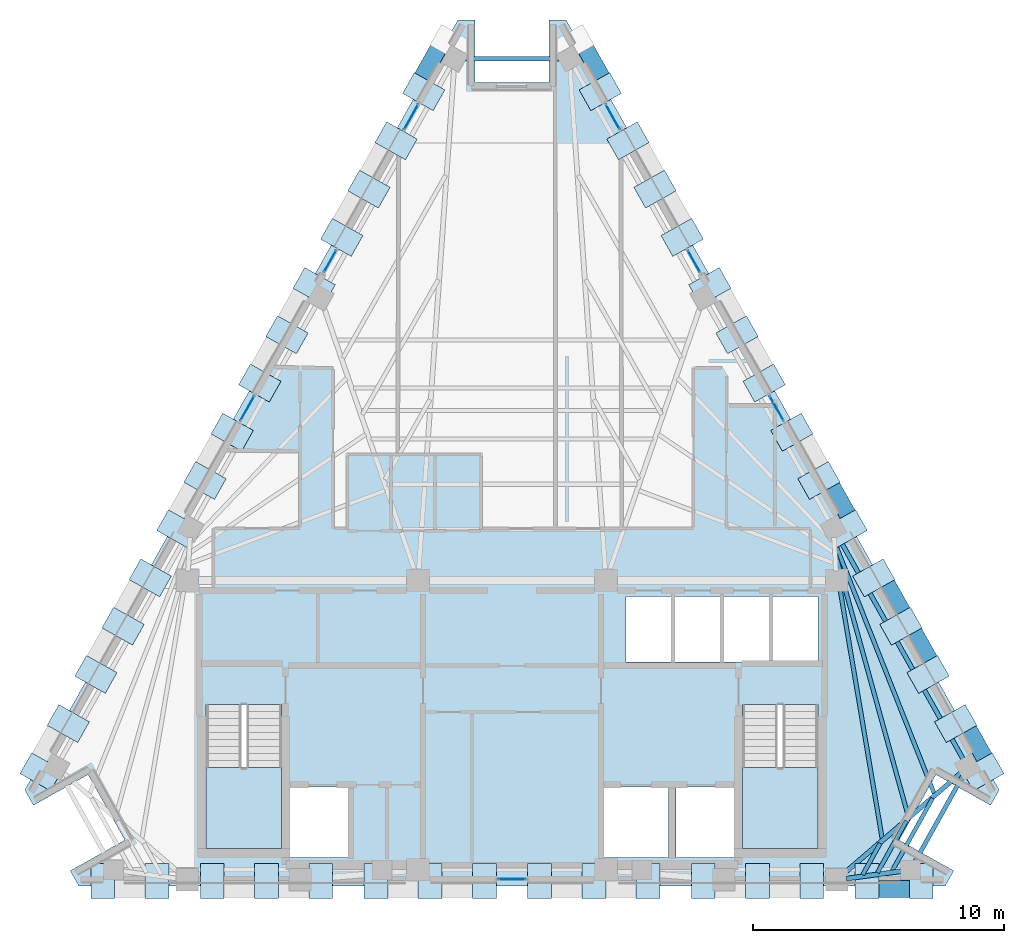
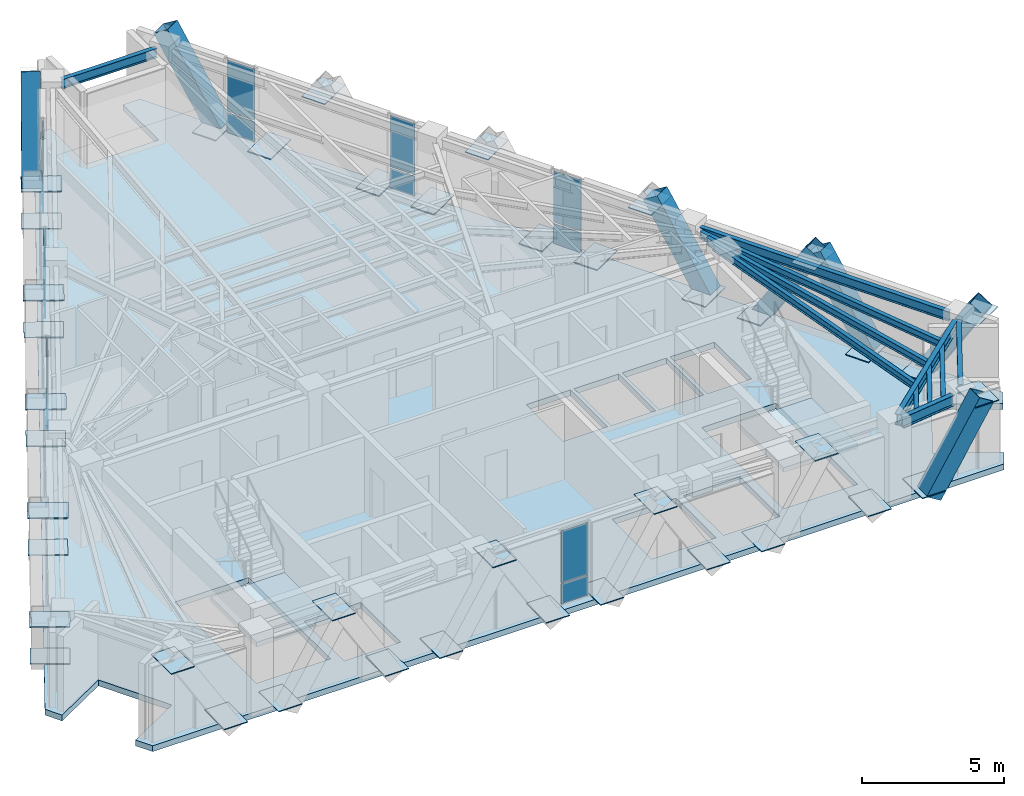
# One storey, part 4 of 9: 60 plates, 11 beams, 7 members, 3 slabs, 9 elements without a shape of their own.
"""IFC4 building model written with IfcOpenShell, lengths in metres."""

from ifc_helpers import new_model, si_unit, direction, frame, origin, origin_2d, place, context, subcontext, project, spatial, polyline, rectangle, hollow_rectangle, i_section, outline, extrude, material, layer, layer_set, material_profile, profile_set, type_object, element, aggregate, save


model = new_model("IFC4")

# Units and contexts
model_context = context("Model", 3, precision=1e-05, world=origin(), true_north=direction((0.0, 1.0)))
body_context = subcontext(model_context, "Body", "Model", "MODEL_VIEW")
ifc_project = project(units=[si_unit("LENGTHUNIT", "METRE"), si_unit("AREAUNIT", "SQUARE_METRE"), si_unit("VOLUMEUNIT", "CUBIC_METRE"), si_unit("PLANEANGLEUNIT", "RADIAN"), si_unit("MASSUNIT", "GRAM", prefix="KILO")], contexts=[model_context])

# Site, building, storey
site_placement = place(None, origin())
site = spatial("IfcSite", under=ifc_project, at=site_placement, CompositionType="ELEMENT")
building_placement = place(site_placement, origin())
building = spatial("IfcBuilding", under=site, at=building_placement, Name="Quenlor Broadcast Tower", CompositionType="ELEMENT")
storey_placement = place(building_placement, frame((0.0, 0.0, 235.89990234375)))
storey = spatial("IfcBuildingStorey", under=building, at=storey_placement, Name="L65", CompositionType="ELEMENT", Elevation=235.89990234375)

# Members
ifc_material_1 = material(Name="Steel S355", Category="steel")
ifc_material_profile_1 = material_profile(ifc_material_1, hollow_rectangle(XDim=0.679931640625, YDim=0.679931640625, WallThickness=0.02001953125, at=origin_2d()))
ifc_profile_set_1 = profile_set([ifc_material_profile_1], Name="Steel S355 RHS680x680x20")
member_type = type_object("IfcMemberType", Name="Perimeter Diagonal Lattice Brace Z5-Crown Steel S355 RHS680x20", PredefinedType="BRACE", material=ifc_profile_set_1)
member_placement = place(storey_placement, frame((14.165771484375, -17.1201171875, -0.119873046875), z_axis=(0.523616565236, 0.0, 0.85195404372), x_axis=(0.0, 1.0, 0.0)))
element("IfcMember", 1, at=member_placement, inside=storey, type_object=member_type, Name="L65 Perimeter Diamond Lattice S-C1B", PredefinedType="BRACE", context=body_context, shape_type="SweptSolid", body=[
    extrude(hollow_rectangle(XDim=0.679931640625, YDim=0.679931640625, WallThickness=0.02001953125, at=origin_2d()), origin(), (0.0, 0.0, 1.0), 4.108154296875),
])
for number, where, z_axis, x_axis, name in (
    (2, (3.813720703125, 14.864990234375, -0.119873046875), (-0.260618804175, 0.463276364439, 0.847025884529), (-0.8715547569, -0.490298180422, 0.0), "L65 Perimeter Diamond Lattice NE-C1B"),
    (3, (14.725830078125, -4.534423828125, -0.119873046875), (0.260563732169, -0.463283497491, 0.847038926161), (0.871602253711, 0.49021374045, 0.0), "L65 Perimeter Diamond Lattice NE-C4S"),
    (4, (13.622802734375, -2.573486328125, -0.119873046875), (-0.260618804175, 0.463276364439, 0.847025884529), (-0.8715547569, -0.490298180422, 0.0), "L65 Perimeter Diamond Lattice NE-C4B"),
    (5, (17.99560546875, -10.34716796875, -0.119873046875), (0.260563732169, -0.463283497491, 0.847038926161), (0.871602253711, 0.49021374045, 0.0), "L65 Perimeter Diamond Lattice NE-C5S"),
    (6, (16.892578125, -8.38623046875, -0.119873046875), (-0.260618804175, 0.463276364439, 0.847025884529), (-0.8715547569, -0.490298180422, 0.0), "L65 Perimeter Diamond Lattice NE-C5B"),
    (7, (-3.813720703125, 14.864990234375, -0.119873046875), (0.260618804175, 0.463276364439, 0.847025884529), (-0.8715547569, 0.490298180422, 0.0), "L65 Perimeter Diamond Lattice NW-C5S"),
):
    element("IfcMember", number, at=place(storey_placement, frame(where, z_axis=z_axis, x_axis=x_axis)), inside=storey, type_object=member_type, Name=name, PredefinedType="BRACE", context=body_context, shape_type="SweptSolid", body=[
        extrude(hollow_rectangle(XDim=0.679931640625, YDim=0.679931640625, WallThickness=0.02001953125, at=origin_2d()), origin(), (0.0, 0.0, 1.0), 4.132080078125),
    ])

# Beams
ifc_material_2 = material(Name="Steel S355", Category="steel")
ifc_material_profile_2 = material_profile(ifc_material_2, i_section(OverallWidth=0.177978515625, OverallDepth=0.406494140625, WebThickness=0.0078125, FlangeThickness=0.0126953125, FilletRadius=0.011474609375, at=origin_2d()))
ifc_profile_set_2 = profile_set([ifc_material_profile_2], Name="Steel S355 410UB59.7")
beam_type_1 = type_object("IfcBeamType", Name="Perimeter Spandrel Beam Z5 Steel S355 410UB59.7", PredefinedType="SPANDREL", material=ifc_profile_set_2)
beam_1_placement = place(storey_placement, frame((16.07275390625, -16.035400390625, 3.046875), z_axis=(0.486800618374, 0.873513112638, 0.0), x_axis=(-0.873513112638, 0.486800618374, 0.0)))
element("IfcBeam", 8, at=beam_1_placement, inside=storey, type_object=beam_type_1, Name="L65 Spandrel Beam S4-NE1", PredefinedType="SPANDREL", context=body_context, shape_type="SweptSolid", body=[
    extrude(i_section(OverallWidth=0.177978515625, OverallDepth=0.406494140625, WebThickness=0.0078125, FlangeThickness=0.0126953125, FilletRadius=0.011474609375, at=origin_2d()), origin(), (0.0, 0.0, 1.0), 3.9736328125),
])
beam_2_placement = place(storey_placement, frame((18.005859375, -11.93603515625, 3.046875), z_axis=(-0.490274867878, 0.871567871096, 0.0), x_axis=(-0.871567871096, -0.490274867878, 0.0)))
element("IfcBeam", 9, at=beam_2_placement, inside=storey, type_object=beam_type_1, Name="L65 Spandrel Beam NE1-NE2", PredefinedType="SPANDREL", context=body_context, shape_type="SweptSolid", body=[
    extrude(i_section(OverallWidth=0.177978515625, OverallDepth=0.406494140625, WebThickness=0.0078125, FlangeThickness=0.0126953125, FilletRadius=0.011474609375, at=origin_2d()), origin(), (0.0, 0.0, 1.0), 10.206298828125),
])
beam_3_placement = place(storey_placement, frame((1.9248046875, 16.012451171875, 3.046875), z_axis=(-1.0, 0.0, 0.0), x_axis=(0.0, -1.0, 0.0)))
element("IfcBeam", 10, at=beam_3_placement, inside=storey, type_object=beam_type_1, Name="L65 Spandrel Beam NE4-NW1", PredefinedType="SPANDREL", context=body_context, shape_type="SweptSolid", body=[
    extrude(i_section(OverallWidth=0.177978515625, OverallDepth=0.406494140625, WebThickness=0.0078125, FlangeThickness=0.0126953125, FilletRadius=0.011474609375, at=origin_2d()), origin(), (0.0, 0.0, 1.0), 3.849609375),
])
ifc_material_3 = material(Name="Steel S355", Category="steel")
ifc_material_profile_3 = material_profile(ifc_material_3, i_section(OverallWidth=0.166015625, OverallDepth=0.30712890625, WebThickness=0.006591796875, FlangeThickness=0.01171875, FilletRadius=0.011474609375, at=origin_2d()))
ifc_profile_set_3 = profile_set([ifc_material_profile_3], Name="Steel S355 310UB46.2")
beam_type_2 = type_object("IfcBeamType", Name="Tower Composite Joist Z4-Z5 Steel S355 310UB46.2", PredefinedType="JOIST", material=ifc_profile_set_3)
beam_4_placement = place(storey_placement, frame((14.76806640625, -15.09619140625, 3.096435546875), z_axis=(-0.166553293246, 0.986032454085, 0.0), x_axis=(-0.986032454085, -0.166553293246, 0.0)))
element("IfcBeam", 11, at=beam_4_placement, inside=storey, type_object=beam_type_2, Name="L65 Secondary Composite Joist 16", PredefinedType="JOIST", context=body_context, shape_type="SweptSolid", body=[
    extrude(i_section(OverallWidth=0.166015625, OverallDepth=0.30712890625, WebThickness=0.006591796875, FlangeThickness=0.01171875, FilletRadius=0.011474609375, at=origin_2d()), origin(), (0.0, 0.0, 1.0), 11.097900390625),
])
beam_5_placement = place(storey_placement, frame((15.806396484375, -14.197998046875, 3.096435546875), z_axis=(-0.26744552871, 0.96357298072, 0.0), x_axis=(-0.96357298072, -0.26744552871, 0.0)))
element("IfcBeam", 12, at=beam_5_placement, inside=storey, type_object=beam_type_2, Name="L65 Secondary Composite Joist 17", PredefinedType="JOIST", context=body_context, shape_type="SweptSolid", body=[
    extrude(i_section(OverallWidth=0.166015625, OverallDepth=0.30712890625, WebThickness=0.006591796875, FlangeThickness=0.01171875, FilletRadius=0.011474609375, at=origin_2d()), origin(), (0.0, 0.0, 1.0), 10.856689453125),
])
beam_6_placement = place(storey_placement, frame((16.8447265625, -13.300537109375, 3.096435546875), z_axis=(-0.368680258049, 0.929556274426, 0.0), x_axis=(-0.929556274426, -0.368680258049, 0.0)))
element("IfcBeam", 13, at=beam_6_placement, inside=storey, type_object=beam_type_2, Name="L65 Secondary Composite Joist 18", PredefinedType="JOIST", context=body_context, shape_type="SweptSolid", body=[
    extrude(i_section(OverallWidth=0.166015625, OverallDepth=0.30712890625, WebThickness=0.006591796875, FlangeThickness=0.01171875, FilletRadius=0.011474609375, at=origin_2d()), origin(), (0.0, 0.0, 1.0), 10.737548828125),
])
beam_7_placement = place(storey_placement, frame((13.9912109375, -16.544189453125, 3.096435546875), z_axis=(0.486624304452, 0.873611347406, 0.0), x_axis=(-0.873611347406, 0.486624304452, 0.0)))
element("IfcBeam", 14, at=beam_7_placement, inside=storey, type_object=beam_type_2, Name="L65 Secondary Composite Joist 22", PredefinedType="JOIST", context=body_context, shape_type="SweptSolid", body=[
    extrude(i_section(OverallWidth=0.166015625, OverallDepth=0.30712890625, WebThickness=0.006591796875, FlangeThickness=0.01171875, FilletRadius=0.011474609375, at=origin_2d()), origin(), (0.0, 0.0, 1.0), 1.435791015625),
])
beam_8_placement = place(storey_placement, frame((14.58056640625, -16.464111328125, 3.096435546875), z_axis=(0.486820963037, 0.873501774439, 0.0), x_axis=(-0.873501774439, 0.486820963037, 0.0)))
element("IfcBeam", 15, at=beam_8_placement, inside=storey, type_object=beam_type_2, Name="L65 Secondary Composite Joist 23", PredefinedType="JOIST", context=body_context, shape_type="SweptSolid", body=[
    extrude(i_section(OverallWidth=0.166015625, OverallDepth=0.30712890625, WebThickness=0.006591796875, FlangeThickness=0.01171875, FilletRadius=0.011474609375, at=origin_2d()), origin(), (0.0, 0.0, 1.0), 2.37451171875),
])
beam_9_placement = place(storey_placement, frame((15.170166015625, -16.384033203125, 3.096435546875), z_axis=(0.486762404011, 0.873534408046, 0.0), x_axis=(-0.873534408046, 0.486762404011, 0.0)))
element("IfcBeam", 16, at=beam_9_placement, inside=storey, type_object=beam_type_2, Name="L65 Secondary Composite Joist 24", PredefinedType="JOIST", context=body_context, shape_type="SweptSolid", body=[
    extrude(i_section(OverallWidth=0.166015625, OverallDepth=0.30712890625, WebThickness=0.006591796875, FlangeThickness=0.01171875, FilletRadius=0.011474609375, at=origin_2d()), origin(), (0.0, 0.0, 1.0), 3.313232421875),
])
ifc_material_4 = material(Name="Steel S355", Category="steel")
ifc_material_profile_4 = material_profile(ifc_material_4, i_section(OverallWidth=0.19091796875, OverallDepth=0.46044921875, WebThickness=0.010009765625, FlangeThickness=0.01611328125, FilletRadius=0.011474609375, at=origin_2d()))
ifc_profile_set_4 = profile_set([ifc_material_profile_4], Name="Steel S355 460UB82.1")
beam_type_3 = type_object("IfcBeamType", Name="Tower Primary Floor Beam Z5 Steel S355 460UB82.1", PredefinedType="BEAM", material=ifc_profile_set_4)
beam_10_placement = place(storey_placement, frame((15.541015625, -16.3984375, 3.02001953125), z_axis=(-0.990917044125, -0.134474576267, 0.0), x_axis=(0.134474576267, -0.990917044125, 0.0)))
element("IfcBeam", 17, at=beam_10_placement, inside=storey, type_object=beam_type_3, Name="L65 Primary Radial Beam S4", PredefinedType="BEAM", context=body_context, shape_type="SweptSolid", body=[
    extrude(i_section(OverallWidth=0.19091796875, OverallDepth=0.46044921875, WebThickness=0.010009765625, FlangeThickness=0.01611328125, FilletRadius=0.011474609375, at=origin_2d()), origin(), (0.0, 0.0, 1.0), 2.23486328125),
])
beam_11_placement = place(storey_placement, frame((17.909423828125, -12.484619140625, 3.02001953125), z_axis=(-0.75817030855, -0.652056579779, 0.0), x_axis=(0.652056579779, -0.75817030855, 0.0)))
element("IfcBeam", 18, at=beam_11_placement, inside=storey, type_object=beam_type_3, Name="L65 Primary Radial Beam NE1", PredefinedType="BEAM", context=body_context, shape_type="SweptSolid", body=[
    extrude(i_section(OverallWidth=0.19091796875, OverallDepth=0.46044921875, WebThickness=0.010009765625, FlangeThickness=0.01611328125, FilletRadius=0.011474609375, at=origin_2d()), origin(), (0.0, 0.0, 1.0), 6.161376953125),
])

# Curtain wall, plates
ifc_material_5 = material(Name="Architectural Terracotta and Low-E Glazing", Category="masonry")
curtain_wall_type = type_object("IfcCurtainWallType", Name="Unitised Terracotta Curtain Wall System Z5", PredefinedType="NOTDEFINED", material=ifc_material_5)
curtain_wall_1_placement = place(storey_placement, origin())
curtain_wall_1 = element("IfcCurtainWall", 19, at=curtain_wall_1_placement, inside=storey, type_object=curtain_wall_type, Name="L65 Curtain Wall CW5 (L65-S-G1)", PredefinedType="NOTDEFINED")
ifc_material_6 = material(Name="Double Glazed Low-E Solar Glass", Category="glass")
ifc_layer_1 = layer(ifc_material_6, 0.02587890625)
ifc_layer_set_1 = layer_set([ifc_layer_1], Name="CW5 Double Glazed Vision Panel 26")
plate_type_1 = type_object("IfcPlateType", Name="CW5 Double Glazed Vision Panel 26", PredefinedType="CURTAIN_PANEL", material=ifc_layer_set_1)
plate_1_placement = place(storey_placement, frame((0.0, -16.72509765625, 0.065185546875), z_axis=(0.0, 0.0, 1.0), x_axis=(-1.0, 0.0, 0.0)))
plate_1 = element("IfcPlate", 20, at=plate_1_placement, type_object=plate_type_1, Name="CW5 panel 1.1", PredefinedType="CURTAIN_PANEL", context=body_context, shape_type="SweptSolid", body=[
    extrude(rectangle(XDim=1.081298828125, YDim=0.02587890625, at=origin_2d()), origin(), (0.0, 0.0, 1.0), 0.8525390625),
])
plate_2_placement = place(storey_placement, frame((0.0, -16.72509765625, 0.982421875), z_axis=(0.0, 0.0, 1.0), x_axis=(-1.0, 0.0, 0.0)))
plate_2 = element("IfcPlate", 21, at=plate_2_placement, type_object=plate_type_1, Name="CW5 panel 1.2", PredefinedType="CURTAIN_PANEL", context=body_context, shape_type="SweptSolid", body=[
    extrude(rectangle(XDim=1.081298828125, YDim=0.02587890625, at=origin_2d()), origin(), (0.0, 0.0, 1.0), 2.202392578125),
])
aggregate(curtain_wall_1, [plate_1, plate_2])

curtain_wall_2_placement = place(storey_placement, origin())
curtain_wall_2 = element("IfcCurtainWall", 22, at=curtain_wall_2_placement, inside=storey, type_object=curtain_wall_type, Name="L65 Curtain Wall CW5 (L65-NEA-G1)", PredefinedType="NOTDEFINED")
plate_3_placement = place(storey_placement, frame((4.02099609375, 13.69091796875, 0.065185546875), z_axis=(0.0, 0.0, 1.0), x_axis=(0.49029137745, -0.871558583916, 0.0)))
plate_3 = element("IfcPlate", 23, at=plate_3_placement, type_object=plate_type_1, Name="CW5 panel 1.1", PredefinedType="CURTAIN_PANEL", context=body_context, shape_type="SweptSolid", body=[
    extrude(rectangle(XDim=1.13037109375, YDim=0.02587890625, at=origin_2d()), origin(), (0.0, 0.0, 1.0), 0.8525390625),
])
plate_4_placement = place(storey_placement, frame((4.02099609375, 13.69091796875, 0.982421875), z_axis=(0.0, 0.0, 1.0), x_axis=(0.49029137745, -0.871558583916, 0.0)))
plate_4 = element("IfcPlate", 24, at=plate_4_placement, type_object=plate_type_1, Name="CW5 panel 1.2", PredefinedType="CURTAIN_PANEL", context=body_context, shape_type="SweptSolid", body=[
    extrude(rectangle(XDim=1.13037109375, YDim=0.02587890625, at=origin_2d()), origin(), (0.0, 0.0, 1.0), 2.202392578125),
])
aggregate(curtain_wall_2, [plate_3, plate_4])

curtain_wall_3_placement = place(storey_placement, origin())
curtain_wall_3 = element("IfcCurtainWall", 25, at=curtain_wall_3_placement, inside=storey, type_object=curtain_wall_type, Name="L65 Curtain Wall CW5 (L65-NEA-G2)", PredefinedType="NOTDEFINED")
plate_5_placement = place(storey_placement, frame((7.258056640625, 7.935791015625, 0.065185546875), z_axis=(0.0, 0.0, 1.0), x_axis=(0.490282293669, -0.871563693894, 0.0)))
plate_5 = element("IfcPlate", 26, at=plate_5_placement, type_object=plate_type_1, Name="CW5 panel 1.1", PredefinedType="CURTAIN_PANEL", context=body_context, shape_type="SweptSolid", body=[
    extrude(rectangle(XDim=0.99755859375, YDim=0.02587890625, at=origin_2d()), origin(), (0.0, 0.0, 1.0), 0.8525390625),
])
plate_6_placement = place(storey_placement, frame((7.258056640625, 7.935791015625, 0.982421875), z_axis=(0.0, 0.0, 1.0), x_axis=(0.490282293669, -0.871563693894, 0.0)))
plate_6 = element("IfcPlate", 27, at=plate_6_placement, type_object=plate_type_1, Name="CW5 panel 1.2", PredefinedType="CURTAIN_PANEL", context=body_context, shape_type="SweptSolid", body=[
    extrude(rectangle(XDim=0.99755859375, YDim=0.02587890625, at=origin_2d()), origin(), (0.0, 0.0, 1.0), 2.202392578125),
])
aggregate(curtain_wall_3, [plate_5, plate_6])

curtain_wall_4_placement = place(storey_placement, origin())
curtain_wall_4 = element("IfcCurtainWall", 28, at=curtain_wall_4_placement, inside=storey, type_object=curtain_wall_type, Name="L65 Curtain Wall CW5 (L65-NE-G1)", PredefinedType="NOTDEFINED")
plate_7_placement = place(storey_placement, frame((10.560302734375, 2.065185546875, 0.065185546875), z_axis=(0.0, 0.0, 1.0), x_axis=(0.490231100048, -0.871592489955, 0.0)))
plate_7 = element("IfcPlate", 29, at=plate_7_placement, type_object=plate_type_1, Name="CW5 panel 1.1", PredefinedType="CURTAIN_PANEL", context=body_context, shape_type="SweptSolid", body=[
    extrude(rectangle(XDim=1.130126953125, YDim=0.02587890625, at=origin_2d()), origin(), (0.0, 0.0, 1.0), 0.8525390625),
])
plate_8_placement = place(storey_placement, frame((10.560302734375, 2.065185546875, 0.982421875), z_axis=(0.0, 0.0, 1.0), x_axis=(0.490231100048, -0.871592489955, 0.0)))
plate_8 = element("IfcPlate", 30, at=plate_8_placement, type_object=plate_type_1, Name="CW5 panel 1.2", PredefinedType="CURTAIN_PANEL", context=body_context, shape_type="SweptSolid", body=[
    extrude(rectangle(XDim=1.130126953125, YDim=0.02587890625, at=origin_2d()), origin(), (0.0, 0.0, 1.0), 2.202392578125),
])
aggregate(curtain_wall_4, [plate_7, plate_8])

curtain_wall_5_placement = place(storey_placement, origin())
curtain_wall_5 = element("IfcCurtainWall", 31, at=curtain_wall_5_placement, inside=storey, type_object=curtain_wall_type, Name="L65 Curtain Wall CW5 (L65-NWC-G1)", PredefinedType="NOTDEFINED")
plate_9_placement = place(storey_placement, frame((-7.258056640625, 7.935791015625, 0.065185546875), z_axis=(0.0, 0.0, 1.0), x_axis=(0.490282293669, 0.871563693894, 0.0)))
plate_9 = element("IfcPlate", 32, at=plate_9_placement, type_object=plate_type_1, Name="CW5 panel 1.1", PredefinedType="CURTAIN_PANEL", context=body_context, shape_type="SweptSolid", body=[
    extrude(rectangle(XDim=0.99755859375, YDim=0.02587890625, at=origin_2d()), origin(), (0.0, 0.0, 1.0), 0.8525390625),
])
plate_10_placement = place(storey_placement, frame((-7.258056640625, 7.935791015625, 0.982421875), z_axis=(0.0, 0.0, 1.0), x_axis=(0.490282293669, 0.871563693894, 0.0)))
plate_10 = element("IfcPlate", 33, at=plate_10_placement, type_object=plate_type_1, Name="CW5 panel 1.2", PredefinedType="CURTAIN_PANEL", context=body_context, shape_type="SweptSolid", body=[
    extrude(rectangle(XDim=0.99755859375, YDim=0.02587890625, at=origin_2d()), origin(), (0.0, 0.0, 1.0), 2.202392578125),
])
aggregate(curtain_wall_5, [plate_9, plate_10])

curtain_wall_6_placement = place(storey_placement, origin())
curtain_wall_6 = element("IfcCurtainWall", 34, at=curtain_wall_6_placement, inside=storey, type_object=curtain_wall_type, Name="L65 Curtain Wall CW5 (L65-NWC-G2)", PredefinedType="NOTDEFINED")
plate_11_placement = place(storey_placement, frame((-4.02099609375, 13.69091796875, 0.065185546875), z_axis=(0.0, 0.0, 1.0), x_axis=(0.49029137745, 0.871558583916, 0.0)))
plate_11 = element("IfcPlate", 35, at=plate_11_placement, type_object=plate_type_1, Name="CW5 panel 1.1", PredefinedType="CURTAIN_PANEL", context=body_context, shape_type="SweptSolid", body=[
    extrude(rectangle(XDim=1.13037109375, YDim=0.02587890625, at=origin_2d()), origin(), (0.0, 0.0, 1.0), 0.8525390625),
])
plate_12_placement = place(storey_placement, frame((-4.02099609375, 13.69091796875, 0.982421875), z_axis=(0.0, 0.0, 1.0), x_axis=(0.49029137745, 0.871558583916, 0.0)))
plate_12 = element("IfcPlate", 36, at=plate_12_placement, type_object=plate_type_1, Name="CW5 panel 1.2", PredefinedType="CURTAIN_PANEL", context=body_context, shape_type="SweptSolid", body=[
    extrude(rectangle(XDim=1.13037109375, YDim=0.02587890625, at=origin_2d()), origin(), (0.0, 0.0, 1.0), 2.202392578125),
])
aggregate(curtain_wall_6, [plate_11, plate_12])

curtain_wall_7_placement = place(storey_placement, origin())
curtain_wall_7 = element("IfcCurtainWall", 37, at=curtain_wall_7_placement, inside=storey, type_object=curtain_wall_type, Name="L65 Curtain Wall CW5 (L65-NW-G1)", PredefinedType="NOTDEFINED")
plate_13_placement = place(storey_placement, frame((-10.560302734375, 2.065185546875, 0.065185546875), z_axis=(0.0, 0.0, 1.0), x_axis=(0.490231100048, 0.871592489955, 0.0)))
plate_13 = element("IfcPlate", 38, at=plate_13_placement, type_object=plate_type_1, Name="CW5 panel 1.1", PredefinedType="CURTAIN_PANEL", context=body_context, shape_type="SweptSolid", body=[
    extrude(rectangle(XDim=1.130126953125, YDim=0.02587890625, at=origin_2d()), origin(), (0.0, 0.0, 1.0), 0.8525390625),
])
plate_14_placement = place(storey_placement, frame((-10.560302734375, 2.065185546875, 0.982421875), z_axis=(0.0, 0.0, 1.0), x_axis=(0.490231100048, 0.871592489955, 0.0)))
plate_14 = element("IfcPlate", 39, at=plate_14_placement, type_object=plate_type_1, Name="CW5 panel 1.2", PredefinedType="CURTAIN_PANEL", context=body_context, shape_type="SweptSolid", body=[
    extrude(rectangle(XDim=1.130126953125, YDim=0.02587890625, at=origin_2d()), origin(), (0.0, 0.0, 1.0), 2.202392578125),
])
aggregate(curtain_wall_7, [plate_13, plate_14])

# Stair, slab
ifc_material_7 = material(Name="Precast concrete C40/50", Category="concrete")
stair_type = type_object("IfcStairType", Name="Precast Concrete C40/50 Dogleg Stair H350", PredefinedType="HALF_TURN_STAIR", material=ifc_material_7)
stair_1_placement = place(storey_placement, origin())
stair_1 = element("IfcStair", 40, at=stair_1_placement, inside=storey, type_object=stair_type, Name="L65 West Core Fire-Isolated Exit Stair ST-1", PredefinedType="HALF_TURN_STAIR")
ifc_material_8 = material(Name="Precast concrete C40/50", Category="concrete")
ifc_layer_2 = layer(ifc_material_8, 0.199951171875)
ifc_layer_set_2 = layer_set([ifc_layer_2], Name="Precast Concrete C40/50 Stair Landing Slab 200")
slab_type_1 = type_object("IfcSlabType", Name="Precast Concrete C40/50 Stair Landing Slab 200", PredefinedType="LANDING", material=ifc_layer_set_2)
slab_1_placement = place(storey_placement, frame((0.0, 0.0, 1.550048828125)))
slab_1 = element("IfcSlab", 41, at=slab_1_placement, type_object=slab_type_1, Name="ST-1 landing 1", PredefinedType="LANDING", context=body_context, shape_type="SweptSolid", body=[
    extrude(outline(polyline([(-12.199951171875, -12.27001953125), (-12.199951171875, -15.5), (-9.199951171875, -15.5), (-9.199951171875, -12.27001953125), (-12.199951171875, -12.27001953125)])), origin(), (0.0, 0.0, 1.0), 0.199951171875),
])
aggregate(stair_1, [slab_1])

stair_2_placement = place(storey_placement, origin())
stair_2 = element("IfcStair", 42, at=stair_2_placement, inside=storey, type_object=stair_type, Name="L65 East Core Fire-Isolated Exit Stair ST-2", PredefinedType="HALF_TURN_STAIR")
slab_2_placement = place(storey_placement, frame((0.0, 0.0, 1.550048828125)))
slab_2 = element("IfcSlab", 43, at=slab_2_placement, type_object=slab_type_1, Name="ST-2 landing 1", PredefinedType="LANDING", context=body_context, shape_type="SweptSolid", body=[
    extrude(outline(polyline([(9.199951171875, -12.27001953125), (9.199951171875, -15.5), (12.199951171875, -15.5), (12.199951171875, -12.27001953125), (9.199951171875, -12.27001953125)])), origin(), (0.0, 0.0, 1.0), 0.199951171875),
])
aggregate(stair_2, [slab_2])

# Slab
ifc_material_9 = material(Name="Concrete C40/50", Category="concrete")
ifc_layer_3 = layer(ifc_material_9, 0.25)
ifc_layer_set_3 = layer_set([ifc_layer_3], Name="Tower Composite Concrete C40/50 Slab 250")
slab_type_2 = type_object("IfcSlabType", Name="Tower Composite Concrete C40/50 Slab 250", PredefinedType="FLOOR", material=ifc_layer_set_3)
slab_3_placement = place(storey_placement, frame((0.0, 0.0, -0.25)))
element("IfcSlab", 44, at=slab_3_placement, inside=storey, type_object=slab_type_2, Name="L65 Structural Floor Slab", PredefinedType="FLOOR", context=body_context, shape_type="SweptSolid", body=[
    extrude(outline(polyline([(17.280029296875, -17.0), (17.62548828125, -16.385498046875), (15.44677734375, -15.159912109375), (16.91552734375, -12.548583984375), (19.094482421875, -13.7744140625), (19.43994140625, -13.159912109375), (2.159912109375, 17.56005859375), (1.46875, 17.56005859375), (1.46875, 15.06005859375), (-1.46875, 15.06005859375), (-1.46875, 17.56005859375), (-2.159912109375, 17.56005859375), (-19.43994140625, -13.159912109375), (-19.094482421875, -13.7744140625), (-16.91552734375, -12.548583984375), (-15.44677734375, -15.159912109375), (-17.62548828125, -16.385498046875), (-17.280029296875, -17.0), (17.280029296875, -17.0)]), holes=[polyline([(-12.199951171875, -9.758056640625), (-12.199951171875, -15.5), (-9.199951171875, -15.5), (-9.199951171875, -9.758056640625), (-12.199951171875, -9.758056640625)]), polyline([(9.199951171875, -9.758056640625), (9.199951171875, -15.5), (12.199951171875, -15.5), (12.199951171875, -9.758056640625), (9.199951171875, -9.758056640625)]), polyline([(4.550048828125, -8.050048828125), (6.35009765625, -8.050048828125), (6.35009765625, -5.449951171875), (4.550048828125, -5.449951171875), (4.550048828125, -8.050048828125)]), polyline([(6.5, -8.050048828125), (8.300048828125, -8.050048828125), (8.300048828125, -5.449951171875), (6.5, -5.449951171875), (6.5, -8.050048828125)]), polyline([(8.449951171875, -8.050048828125), (10.25, -8.050048828125), (10.25, -5.449951171875), (8.449951171875, -5.449951171875), (8.449951171875, -8.050048828125)]), polyline([(10.39990234375, -8.050048828125), (12.199951171875, -8.050048828125), (12.199951171875, -5.449951171875), (10.39990234375, -5.449951171875), (10.39990234375, -8.050048828125)]), polyline([(-8.85009765625, -15.85009765625), (-6.550048828125, -15.85009765625), (-6.550048828125, -13.050048828125), (-8.85009765625, -13.050048828125), (-8.85009765625, -15.85009765625)]), polyline([(6.550048828125, -15.85009765625), (8.85009765625, -15.85009765625), (8.85009765625, -13.050048828125), (6.550048828125, -13.050048828125), (6.550048828125, -15.85009765625)]), polyline([(3.64990234375, -15.85009765625), (6.25, -15.85009765625), (6.25, -13.050048828125), (3.64990234375, -13.050048828125), (3.64990234375, -15.85009765625)])]), origin(), (0.0, 0.0, 1.0), 0.25),
])

# Plates
ifc_material_10 = material(Name="Steel S355", Category="steel")
ifc_layer_4 = layer(ifc_material_10, 0.035888671875)
ifc_layer_set_4 = layer_set([ifc_layer_4], Name="Transfer Truss Steel S355 Gusset Node Plate 1400x950x36")
plate_type_2 = type_object("IfcPlateType", Name="Transfer Truss Steel S355 Gusset Node Plate 1400x950x36", PredefinedType="SHEET", material=ifc_layer_set_4)
for number, where, z_axis, x_axis, name in (
    (45, (11.96240234375, -16.784912109375, 0.0419921875), (0.0, 0.0, 1.0), (0.0, -1.0, 0.0), "L65 Lattice Tie Gusset Node S-B2"),
    (46, (9.798095703125, -16.784912109375, 3.18212890625), (0.0, 0.0, 1.0), (0.0, -1.0, 0.0), "L65 Lattice Tie Gusset Node S-T3"),
    (47, (14.165771484375, -16.784912109375, 0.0419921875), (0.0, 0.0, 1.0), (0.0, -1.0, 0.0), "L65 Lattice Tie Gusset Node S-B1"),
    (48, (16.330078125, -16.784912109375, 3.18212890625), (0.0, 0.0, 1.0), (0.0, -1.0, 0.0), "L65 Lattice Tie Gusset Node S-T0"),
    (49, (5.430419921875, -16.784912109375, 0.0419921875), (0.0, 0.0, 1.0), (0.0, -1.0, 0.0), "L65 Lattice Tie Gusset Node S-B5"),
    (50, (3.26611328125, -16.784912109375, 3.18212890625), (0.0, 0.0, 1.0), (0.0, -1.0, 0.0), "L65 Lattice Tie Gusset Node S-T6"),
    (51, (7.6337890625, -16.784912109375, 0.0419921875), (0.0, 0.0, 1.0), (0.0, -1.0, 0.0), "L65 Lattice Tie Gusset Node S-B4"),
    (52, (-1.101806640625, -16.784912109375, 0.0419921875), (0.0, 0.0, 1.0), (0.0, -1.0, 0.0), "L65 Lattice Tie Gusset Node S-B8"),
    (53, (-3.26611328125, -16.784912109375, 3.18212890625), (0.0, 0.0, 1.0), (0.0, -1.0, 0.0), "L65 Lattice Tie Gusset Node S-T9"),
    (54, (1.101806640625, -16.784912109375, 0.0419921875), (0.0, 0.0, 1.0), (0.0, -1.0, 0.0), "L65 Lattice Tie Gusset Node S-B7"),
    (55, (-7.6337890625, -16.784912109375, 0.0419921875), (0.0, 0.0, 1.0), (0.0, -1.0, 0.0), "L65 Lattice Tie Gusset Node S-B11"),
    (56, (-9.798095703125, -16.784912109375, 3.18212890625), (0.0, 0.0, 1.0), (0.0, -1.0, 0.0), "L65 Lattice Tie Gusset Node S-T12"),
    (57, (-5.430419921875, -16.784912109375, 0.0419921875), (0.0, 0.0, 1.0), (0.0, -1.0, 0.0), "L65 Lattice Tie Gusset Node S-B10"),
    (58, (-14.165771484375, -16.784912109375, 0.0419921875), (0.0, 0.0, 1.0), (0.0, -1.0, 0.0), "L65 Lattice Tie Gusset Node S-B14"),
    (59, (-16.330078125, -16.784912109375, 3.18212890625), (0.0, 0.0, 1.0), (0.0, -1.0, 0.0), "L65 Lattice Tie Gusset Node S-T15"),
    (60, (-11.96240234375, -16.784912109375, 0.0419921875), (0.0, 0.0, 1.0), (0.0, -1.0, 0.0), "L65 Lattice Tie Gusset Node S-B13"),
    (61, (4.624755859375, 12.73974609375, 0.0419921875), (0.0, 0.0, 1.0), (0.871556314255, 0.490295412055, 0.0), "L65 Lattice Tie Gusset Node NE-B2"),
    (62, (5.7080078125, 10.813720703125, 3.18212890625), (0.0, 0.0, 1.0), (0.871556314255, 0.490295412055, 0.0), "L65 Lattice Tie Gusset Node NE-T3"),
    (63, (3.521728515625, 14.70068359375, 0.0419921875), (0.0, 0.0, 1.0), (0.871556314255, 0.490295412055, 0.0), "L65 Lattice Tie Gusset Node NE-B1"),
    (64, (7.894287109375, 6.927001953125, 0.0419921875), (0.0, 0.0, 1.0), (0.871556314255, 0.490295412055, 0.0), "L65 Lattice Tie Gusset Node NE-B5"),
    (65, (8.977783203125, 5.0009765625, 3.18212890625), (0.0, 0.0, 1.0), (0.871556314255, 0.490295412055, 0.0), "L65 Lattice Tie Gusset Node NE-T6"),
    (66, (6.79150390625, 8.8876953125, 0.0419921875), (0.0, 0.0, 1.0), (0.871556314255, 0.490295412055, 0.0), "L65 Lattice Tie Gusset Node NE-B4"),
    (67, (11.1640625, 1.1142578125, 0.0419921875), (0.0, 0.0, 1.0), (0.871556314255, 0.490295412055, 0.0), "L65 Lattice Tie Gusset Node NE-B8"),
    (68, (12.247314453125, -0.811767578125, 3.18212890625), (0.0, 0.0, 1.0), (0.871556314255, 0.490295412055, 0.0), "L65 Lattice Tie Gusset Node NE-T9"),
    (69, (10.06103515625, 3.074951171875, 0.0419921875), (0.0, 0.0, 1.0), (0.871556314255, 0.490295412055, 0.0), "L65 Lattice Tie Gusset Node NE-B7"),
    (70, (14.433837890625, -4.698486328125, 0.0419921875), (0.0, 0.0, 1.0), (0.871556314255, 0.490295412055, 0.0), "L65 Lattice Tie Gusset Node NE-B11"),
    (71, (15.51708984375, -6.62451171875, 3.18212890625), (0.0, 0.0, 1.0), (0.871556314255, 0.490295412055, 0.0), "L65 Lattice Tie Gusset Node NE-T12"),
    (72, (13.330810546875, -2.73779296875, 0.0419921875), (0.0, 0.0, 1.0), (0.871556314255, 0.490295412055, 0.0), "L65 Lattice Tie Gusset Node NE-B10"),
    (73, (17.70361328125, -10.511474609375, 0.0419921875), (0.0, 0.0, 1.0), (0.871556314255, 0.490295412055, 0.0), "L65 Lattice Tie Gusset Node NE-B14"),
    (74, (18.786865234375, -12.4375, 3.18212890625), (0.0, 0.0, 1.0), (0.871556314255, 0.490295412055, 0.0), "L65 Lattice Tie Gusset Node NE-T15"),
    (75, (16.6005859375, -8.550537109375, 0.0419921875), (0.0, 0.0, 1.0), (0.871556314255, 0.490295412055, 0.0), "L65 Lattice Tie Gusset Node NE-B13"),
    (76, (-16.6005859375, -8.550537109375, 0.0419921875), (0.0, 0.0, 1.0), (-0.871556314255, 0.490295412055, 0.0), "L65 Lattice Tie Gusset Node NW-B2"),
    (77, (-15.51708984375, -6.62451171875, 3.18212890625), (0.0, 0.0, 1.0), (-0.871556314255, 0.490295412055, 0.0), "L65 Lattice Tie Gusset Node NW-T3"),
    (78, (-17.70361328125, -10.511474609375, 0.0419921875), (0.0, 0.0, 1.0), (-0.871556314255, 0.490295412055, 0.0), "L65 Lattice Tie Gusset Node NW-B1"),
    (79, (-18.786865234375, -12.4375, 3.18212890625), (0.0, 0.0, 1.0), (-0.871556314255, 0.490295412055, 0.0), "L65 Lattice Tie Gusset Node NW-T0"),
    (80, (-13.330810546875, -2.73779296875, 0.0419921875), (0.0, 0.0, 1.0), (-0.871556314255, 0.490295412055, 0.0), "L65 Lattice Tie Gusset Node NW-B5"),
    (81, (-12.247314453125, -0.811767578125, 3.18212890625), (0.0, 0.0, 1.0), (-0.871556314255, 0.490295412055, 0.0), "L65 Lattice Tie Gusset Node NW-T6"),
    (82, (-14.433837890625, -4.698486328125, 0.0419921875), (0.0, 0.0, 1.0), (-0.871556314255, 0.490295412055, 0.0), "L65 Lattice Tie Gusset Node NW-B4"),
    (83, (-10.06103515625, 3.074951171875, 0.0419921875), (0.0, 0.0, 1.0), (-0.871556314255, 0.490295412055, 0.0), "L65 Lattice Tie Gusset Node NW-B8"),
    (84, (-8.977783203125, 5.0009765625, 3.18212890625), (0.0, 0.0, 1.0), (-0.871556314255, 0.490295412055, 0.0), "L65 Lattice Tie Gusset Node NW-T9"),
    (85, (-11.1640625, 1.1142578125, 0.0419921875), (0.0, 0.0, 1.0), (-0.871556314255, 0.490295412055, 0.0), "L65 Lattice Tie Gusset Node NW-B7"),
    (86, (-6.79150390625, 8.8876953125, 0.0419921875), (0.0, 0.0, 1.0), (-0.871556314255, 0.490295412055, 0.0), "L65 Lattice Tie Gusset Node NW-B11"),
    (87, (-5.7080078125, 10.813720703125, 3.18212890625), (0.0, 0.0, 1.0), (-0.871556314255, 0.490295412055, 0.0), "L65 Lattice Tie Gusset Node NW-T12"),
    (88, (-7.894287109375, 6.927001953125, 0.0419921875), (0.0, 0.0, 1.0), (-0.871556314255, 0.490295412055, 0.0), "L65 Lattice Tie Gusset Node NW-B10"),
    (89, (-3.521728515625, 14.70068359375, 0.0419921875), (0.0, 0.0, 1.0), (-0.871556314255, 0.490295412055, 0.0), "L65 Lattice Tie Gusset Node NW-B14"),
    (90, (-4.624755859375, 12.73974609375, 0.0419921875), (0.0, 0.0, 1.0), (-0.871556314255, 0.490295412055, 0.0), "L65 Lattice Tie Gusset Node NW-B13"),
):
    element("IfcPlate", number, at=place(storey_placement, frame(where, z_axis=z_axis, x_axis=x_axis)), inside=storey, type_object=plate_type_2, Name=name, PredefinedType="SHEET", context=body_context, shape_type="SweptSolid", body=[
        extrude(rectangle(XDim=1.39990234375, YDim=0.949951171875, at=origin_2d()), origin(), (0.0, 0.0, 1.0), 0.035888671875),
    ])

save(model, "model.ifc")
